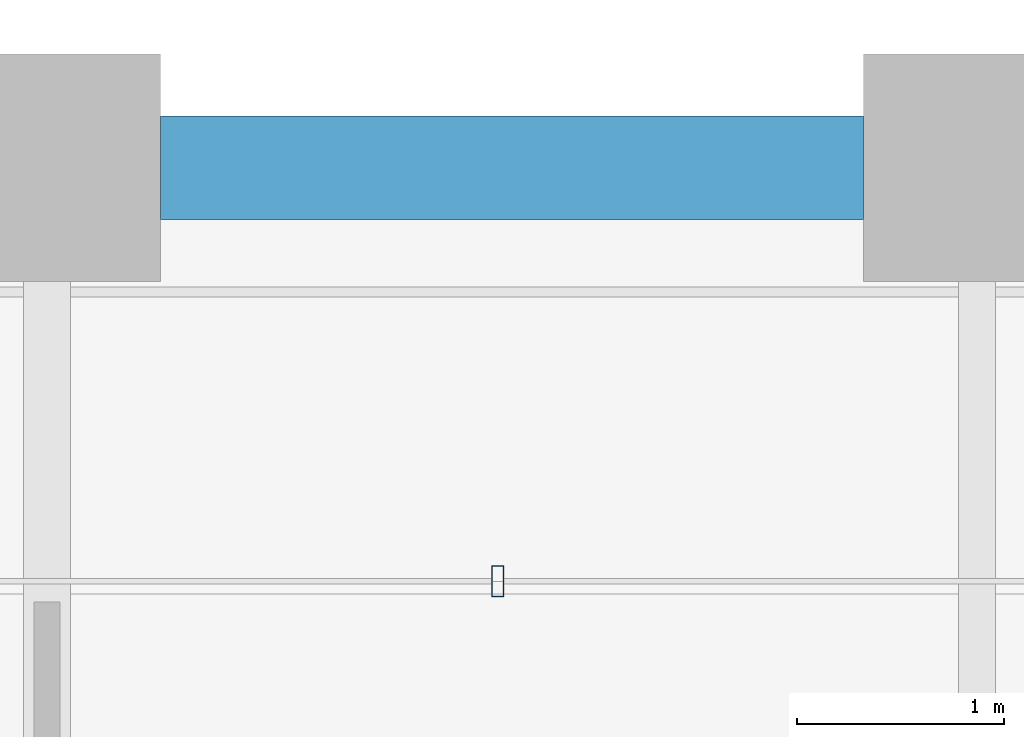
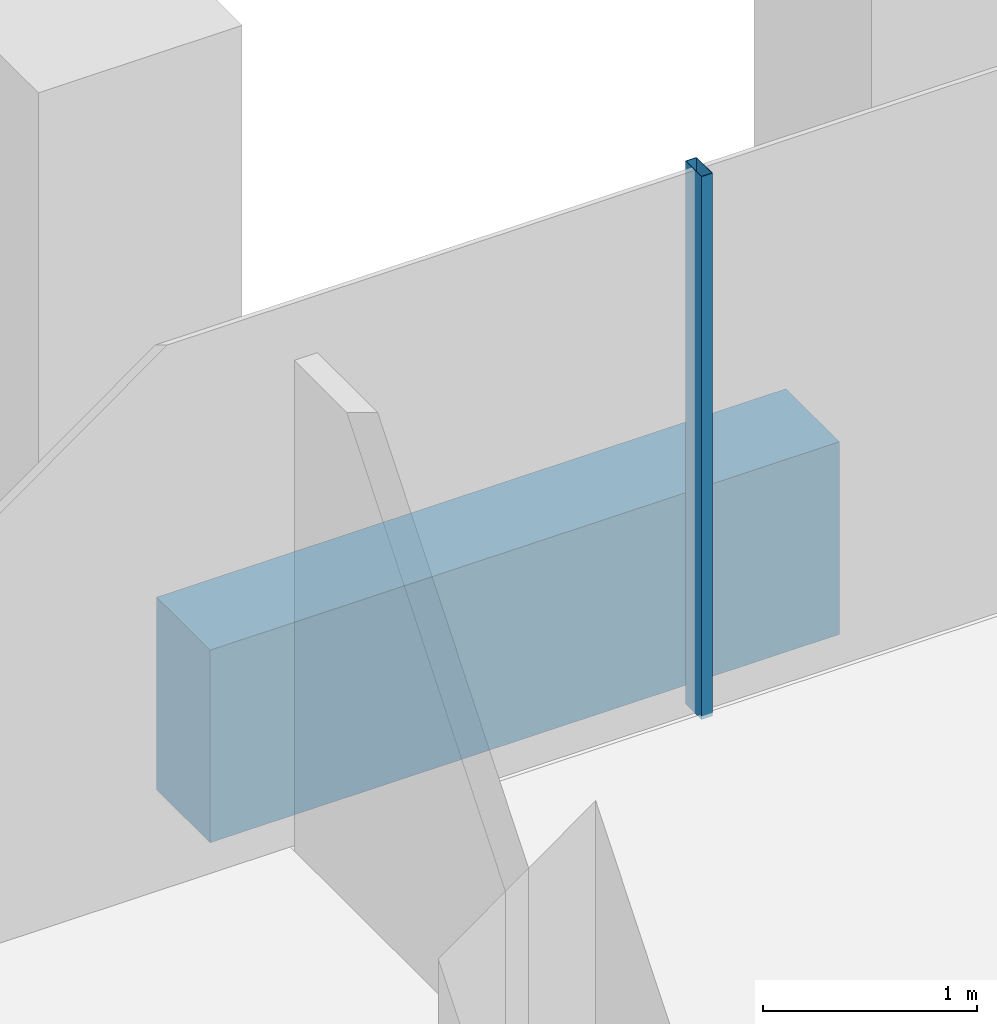
# One storey, part 42 of 56: 1 beam, 1 member, 1 element without a shape of its own.
"""IFC4 building model written with IfcOpenShell, lengths in metres."""

from ifc_helpers import new_model, si_unit, direction, frame, origin, origin_2d, place, context, subcontext, project, spatial, rectangle, hollow_rectangle, extrude, material, material_profile, profile_set, type_object, element, aggregate, save


model = new_model("IFC4")

# Units and contexts
model_context = context("Model", 3, precision=1e-05, world=origin(), true_north=direction((0.0, 1.0)))
body_context = subcontext(model_context, "Body", "Model", "MODEL_VIEW")
ifc_project = project(units=[si_unit("LENGTHUNIT", "METRE"), si_unit("AREAUNIT", "SQUARE_METRE"), si_unit("VOLUMEUNIT", "CUBIC_METRE"), si_unit("PLANEANGLEUNIT", "RADIAN"), si_unit("MASSUNIT", "GRAM", prefix="KILO")], contexts=[model_context])

# Site, building, storey
site_placement = place(None, origin())
site = spatial("IfcSite", under=ifc_project, at=site_placement, CompositionType="ELEMENT")
building_placement = place(site_placement, origin())
building = spatial("IfcBuilding", under=site, at=building_placement, Name="Altepetl Exchange Towers", CompositionType="ELEMENT")
storey_placement = place(building_placement, frame((0.0, 0.0, 54.60009765625)))
storey = spatial("IfcBuildingStorey", under=building, at=storey_placement, Name="L12", CompositionType="ELEMENT", Elevation=54.60009765625)

# Curtain wall, member
ifc_material_1 = material(Name="Aluminium 6063-T6 glazing", Category="aluminium")
curtain_wall_type = type_object("IfcCurtainWallType", Name="Loggia glazing system", PredefinedType="NOTDEFINED", material=ifc_material_1)
curtain_wall_placement = place(storey_placement, origin())
curtain_wall = element("IfcCurtainWall", 1, at=curtain_wall_placement, inside=storey, type_object=curtain_wall_type, Name="CW1 run", PredefinedType="NOTDEFINED")
ifc_material_2 = material(Name="Aluminium 6063-T6", Category="aluminium")
ifc_material_profile_1 = material_profile(ifc_material_2, hollow_rectangle(XDim=0.06005859375, YDim=0.14990234375, WallThickness=0.0029296875, at=origin_2d()), Name="Mullion 60x150 aluminium")
ifc_profile_set_1 = profile_set([ifc_material_profile_1], Name="Aluminium 6063-T6")
member_type = type_object("IfcMemberType", Name="Mullion 60x150 aluminium", PredefinedType="MULLION", material=ifc_profile_set_1)
member_placement = place(storey_placement, frame((105.68115234375, 56.5, 0.0), z_axis=(0.0, 0.0, 1.0), x_axis=(-1.0, 0.0, 0.0)))
member = element("IfcMember", 2, at=member_placement, type_object=member_type, Name="MU1 mullion", PredefinedType="MULLION", context=body_context, shape_type="SweptSolid", body=[
    extrude(hollow_rectangle(XDim=0.06005859375, YDim=0.14990234375, WallThickness=0.0029296875, at=origin_2d()), origin(), (0.0, 0.0, 1.0), 3.099853515625),
])
aggregate(curtain_wall, [member])

# Beam
ifc_material_3 = material(Name="Concrete C50/60 precast with cantera amarilla facing", Category="concrete")
ifc_material_profile_2 = material_profile(ifc_material_3, rectangle(XDim=0.5, YDim=1.10009765625, at=origin_2d()), Name="500 x 1100")
ifc_profile_set_2 = profile_set([ifc_material_profile_2], Name="Concrete C50/60 precast with cantera amarilla facing")
beam_type = type_object("IfcBeamType", Name="Spandrel beam 500x1100 cantera amarilla", PredefinedType="SPANDREL", material=ifc_profile_set_2)
beam_placement = place(storey_placement, frame((107.449951171875, 58.5, -0.7001953125), z_axis=(-1.0, 0.0, 0.0), x_axis=(0.0, -1.0, 0.0)))
element("IfcBeam", 3, at=beam_placement, inside=storey, type_object=beam_type, Name="sp:B:L12:021", PredefinedType="SPANDREL", context=body_context, shape_type="SweptSolid", body=[
    extrude(rectangle(XDim=0.5, YDim=1.10009765625, at=origin_2d()), origin(), (0.0, 0.0, 1.0), 3.39990234375),
])

save(model, "model.ifc")
